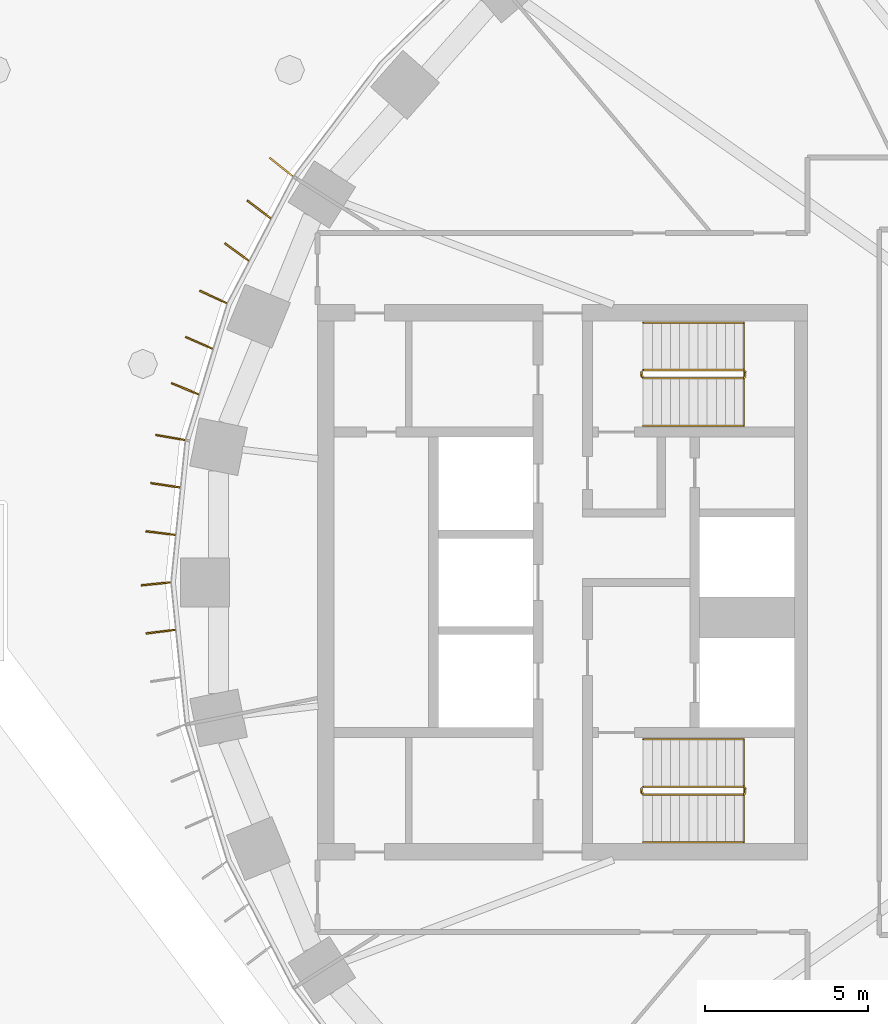
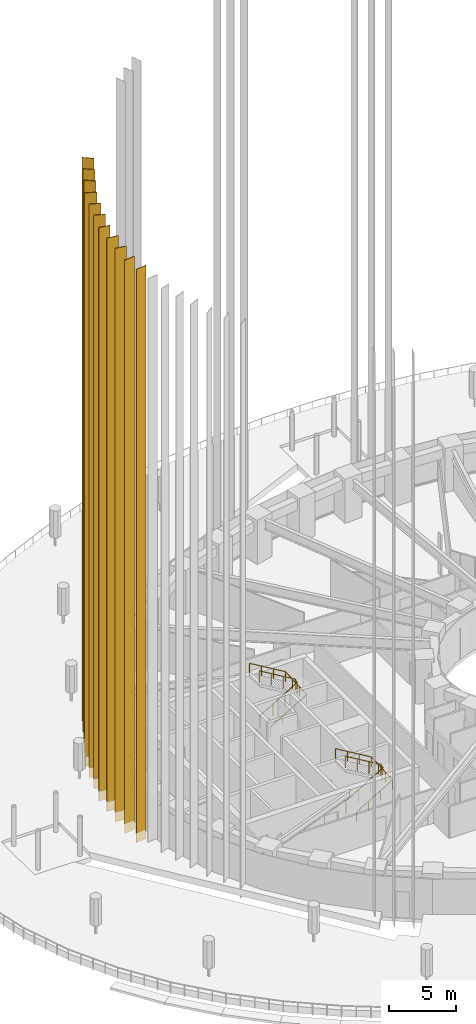
# One storey, part 24 of 30: 11 coverings, 4 railings.
"""IFC4 building model written with IfcOpenShell, lengths in metres."""

import ifcopenshell
import ifcopenshell.guid

model = None  # the IFC model being written
_history = None  # IfcOwnerHistory: only IFC2X3 demands one
_inside = {}  # id of a spatial element -> (the spatial element, [elements in it])
_under = {}  # id of a project, library or spatial element -> (it, [spatial elements below it])
_declared = {}  # id of a project -> (the project, [libraries it declares])
_typed = {}  # id of a type object -> (the type object, [elements of that type])
_made_of = {}  # id of a material, layer set ... -> (it, [elements and type objects made of it])


def new_model(schema):
    """Start an empty IFC model of exactly this schema.

    Asked for "IFC4X3", IfcOpenShell would pick the latest addendum, in which some entities
    have other attributes; the version numbers below select the first issue.
    IFC2X3 requires an IfcOwnerHistory on every rooted entity: one is made here for all.
    """
    global model, _history
    if schema == "IFC4X3":
        model = ifcopenshell.file(schema_version=(4, 3, 0, 0))
    else:
        model = ifcopenshell.file(schema=schema)
    _inside.clear()
    _under.clear()
    _declared.clear()
    _typed.clear()
    _made_of.clear()
    _history = None
    if model.schema == "IFC2X3":
        org = make("IfcOrganization", Name="unknown")
        user = make(
            "IfcPersonAndOrganization",
            ThePerson=make("IfcPerson", FamilyName="unknown"),
            TheOrganization=org,
        )
        app = make(
            "IfcApplication",
            ApplicationDeveloper=org,
            Version="unknown",
            ApplicationFullName="unknown",
            ApplicationIdentifier="unknown",
        )
        _history = make(
            "IfcOwnerHistory",
            OwningUser=user,
            OwningApplication=app,
            ChangeAction="ADDED",
            CreationDate=0,
        )
    return model


def make(cls, **values):
    """One entity of the class cls with the attributes given. An attribute that is None is left unset."""
    return model.create_entity(
        cls, **{name: value for name, value in values.items() if value is not None}
    )


def rooted(cls, **values):
    """An entity with a GlobalId (a new one), such as an element, a storey or a relation."""
    return make(cls, GlobalId=ifcopenshell.guid.new(), OwnerHistory=_history, **values)


def si_unit(unit_type, name, prefix=None):
    """IfcSIUnit, for example si_unit("LENGTHUNIT", "METRE", prefix="MILLI")."""
    return make("IfcSIUnit", UnitType=unit_type, Prefix=prefix, Name=name)


def assignment(units):
    """IfcUnitAssignment: the units of a project."""
    return None if units is None else make("IfcUnitAssignment", Units=units)


def point(xyz):
    """IfcCartesianPoint."""
    return None if xyz is None else make("IfcCartesianPoint", Coordinates=xyz)


def direction(xyz):
    """IfcDirection."""
    return None if xyz is None else make("IfcDirection", DirectionRatios=xyz)


def frame(location, z_axis=None, x_axis=None):
    """IfcAxis2Placement3D, a coordinate frame: its origin and axes. An axis left out is left unset."""
    return make(
        "IfcAxis2Placement3D",
        Location=point(location),
        Axis=direction(z_axis),
        RefDirection=direction(x_axis),
    )


def frame_2d(location, x_axis=None):
    """IfcAxis2Placement2D, a coordinate frame in the plane: its origin and x axis."""
    return make(
        "IfcAxis2Placement2D", Location=point(location), RefDirection=direction(x_axis)
    )


def origin():
    """The frame at (0, 0, 0) with its axes left unset."""
    return frame((0.0, 0.0, 0.0))


def origin_2d():
    """The frame at (0, 0) in the plane with its x axis left unset."""
    return frame_2d((0.0, 0.0))


def place(relative_to, where):
    """IfcLocalPlacement: puts the frame where relative to a parent placement (None: the world)."""
    return make(
        "IfcLocalPlacement", PlacementRelTo=relative_to, RelativePlacement=where
    )


def context(
    kind, dimensions, precision=None, world=None, true_north=None, identifier=None
):
    """IfcGeometricRepresentationContext, for example the 3D "Model" context."""
    return make(
        "IfcGeometricRepresentationContext",
        ContextIdentifier=identifier,
        ContextType=kind,
        CoordinateSpaceDimension=dimensions,
        Precision=precision,
        WorldCoordinateSystem=world,
        TrueNorth=true_north,
    )


def subcontext(parent, identifier, kind, view, scale=None):
    """IfcGeometricRepresentationSubContext, for example "Body" below "Model"."""
    return make(
        "IfcGeometricRepresentationSubContext",
        ContextIdentifier=identifier,
        ContextType=kind,
        ParentContext=parent,
        TargetScale=scale,
        TargetView=view,
    )


def project(units=None, contexts=None):
    """IfcProject with its units and contexts."""
    return rooted(
        "IfcProject",
        Name="project",
        RepresentationContexts=contexts,
        UnitsInContext=assignment(units),
    )


def spatial(cls, under=None, at=None, **own):
    """A site, building, storey or space (cls), placed at a placement, below another one or the project."""
    s = rooted(cls, ObjectPlacement=at, **own)
    if under is not None:
        _under.setdefault(under.id(), (under, []))[1].append(s)
    return s


def profile(cls, at=None, kind="AREA", **sizes):
    """A parametric profile (cls). Its sizes go by their IFC names, for example OverallWidth=200.0."""
    return make(cls, ProfileType=kind, Position=at, **sizes)


def rectangle(**sizes):
    """IfcRectangleProfileDef."""
    return profile("IfcRectangleProfileDef", **sizes)


def extrude(swept, where, along, depth):
    """IfcExtrudedAreaSolid: the profile swept, set in the frame where, extruded along a direction by depth."""
    return make(
        "IfcExtrudedAreaSolid",
        SweptArea=swept,
        Position=where,
        ExtrudedDirection=direction(along),
        Depth=depth,
    )


def shape(context_of_items, identifier, shape_type, items):
    """IfcShapeRepresentation: the items that make up one representation, for example the "Body"."""
    return make(
        "IfcShapeRepresentation",
        ContextOfItems=context_of_items,
        RepresentationIdentifier=identifier,
        RepresentationType=shape_type,
        Items=items,
    )


def material(Name=None, Category=None):
    """IfcMaterial."""
    return make("IfcMaterial", Name=Name, Category=Category)


def material_profile(
    of_material, cross_section, Name=None, Category=None, Priority=None
):
    """IfcMaterialProfile: a cross section and its material."""
    return make(
        "IfcMaterialProfile",
        Name=Name,
        Material=of_material,
        Profile=cross_section,
        Priority=Priority,
        Category=Category,
    )


def profile_set(profiles, Name=None, composite=None):
    """IfcMaterialProfileSet."""
    return make(
        "IfcMaterialProfileSet",
        Name=Name,
        MaterialProfiles=profiles,
        CompositeProfile=composite,
    )


def made_of(thing, what):
    """Note that an element or type object is made of a material, layer set ...; save() writes the relation."""
    if what is not None:
        _made_of.setdefault(what.id(), (what, []))[1].append(thing)
    return thing


def type_object(cls, material=None, **own):
    """A type object (cls), such as IfcWallType, which elements share."""
    return made_of(rooted(cls, **own), material)


def element(
    cls,
    number,
    at=None,
    inside=None,
    cuts=None,
    type_object=None,
    material=None,
    context=None,
    identifier="Body",
    shape_type=None,
    held_by="IfcProductDefinitionShape",
    body=None,
    shapes=None,
    **own,
):
    """One element of the class cls, such as IfcWall. Its Tag is "e" and its number.

    at: its placement. inside: the storey or other place that contains it. cuts: it is an
    opening in that element (IfcRelVoidsElement). A single representation is given by context,
    identifier, shape_type and body (its items); several are given by shapes. held_by: the class
    of the entity that holds the representations. save() writes the other relations.
    """
    e = rooted(cls, Tag="e%d" % number, ObjectPlacement=at, **own)
    if body is not None:
        shapes = [shape(context, identifier, shape_type, body)]
    if shapes is not None:
        e.Representation = make(held_by, Representations=shapes)
    if inside is not None:
        _inside.setdefault(inside.id(), (inside, []))[1].append(e)
    if cuts is not None:
        rooted(
            "IfcRelVoidsElement", RelatingBuildingElement=cuts, RelatedOpeningElement=e
        )
    if type_object is not None:
        _typed.setdefault(type_object.id(), (type_object, []))[1].append(e)
    return made_of(e, material)


def aggregate(whole, parts):
    """IfcRelAggregates: a whole, such as a stair, and the parts it consists of."""
    return rooted("IfcRelAggregates", RelatingObject=whole, RelatedObjects=parts)


def save(model, path):
    """Write the relations noted so far, then the file.

    IfcRelAggregates (storeys below a building ...), IfcRelContainedInSpatialStructure (elements
    in a storey), IfcRelDefinesByType, IfcRelAssociatesMaterial and IfcRelDeclares: one each for
    every whole, place, type object, material and project.
    """
    for whole, parts in _under.values():
        aggregate(whole, parts)
    for where, things in _inside.values():
        rooted(
            "IfcRelContainedInSpatialStructure",
            RelatedElements=things,
            RelatingStructure=where,
        )
    for kind, things in _typed.values():
        rooted("IfcRelDefinesByType", RelatedObjects=things, RelatingType=kind)
    for what, things in _made_of.values():
        rooted("IfcRelAssociatesMaterial", RelatedObjects=things, RelatingMaterial=what)
    for by, libraries in _declared.values():
        rooted("IfcRelDeclares", RelatingContext=by, RelatedDefinitions=libraries)
    model.write(path)


model = new_model("IFC4")

# Units and contexts
model_context = context("Model", 3, precision=1e-05, world=origin(), true_north=direction((0.0, 1.0)))
body_context = subcontext(model_context, "Body", "Model", "MODEL_VIEW")
ifc_project = project(units=[si_unit("LENGTHUNIT", "METRE"), si_unit("AREAUNIT", "SQUARE_METRE"), si_unit("VOLUMEUNIT", "CUBIC_METRE"), si_unit("PLANEANGLEUNIT", "RADIAN"), si_unit("MASSUNIT", "GRAM", prefix="KILO")], contexts=[model_context])

# Site, building, storey
site_placement = place(None, origin())
site = spatial("IfcSite", under=ifc_project, at=site_placement, CompositionType="ELEMENT")
building_placement = place(site_placement, origin())
building = spatial("IfcBuilding", under=site, at=building_placement, Name="Noorbagh Ring Tower", CompositionType="ELEMENT")
storey_placement = place(building_placement, frame((0.0, 0.0, 30.5)))
storey = spatial("IfcBuildingStorey", under=building, at=storey_placement, Name="L05", CompositionType="ELEMENT", Elevation=30.5)

# Railings
ifc_material_1 = material(Name="Stainless steel", Category="steel")
railing_type_1 = type_object("IfcRailingType", Name="CORE-STAIR-GUARD", PredefinedType="GUARDRAIL", material=ifc_material_1)
railing_1_placement = place(storey_placement, frame((-21.580078125, 6.300048828125, 0.0)))
element("IfcRailing", 1, at=railing_1_placement, inside=storey, type_object=railing_type_1, Name="L05 ST1 stair guard", PredefinedType="GUARDRAIL", context=body_context, shape_type="SweptSolid", body=[
    extrude(rectangle(XDim=0.048095703125, YDim=0.048095703125, at=origin_2d()), frame((0.0, 0.0, 1.076171875), z_axis=(0.0, 1.0, 0.0), x_axis=(-1.0, 0.0, 0.0)), (0.0, 0.0, 1.0), 0.14990234375),
    extrude(rectangle(XDim=0.048095703125, YDim=0.048095703125, at=origin_2d()), frame((0.0, 0.14990234375, 1.076171875), z_axis=(0.188775798145, -0.754182335027, 0.628945707965), x_axis=(0.970072785993, 0.242814311512, 0.0)), (0.0, 0.0, 1.0), 0.26513671875),
    extrude(rectangle(XDim=0.048095703125, YDim=0.048095703125, at=origin_2d()), frame((0.050048828125, -0.050048828125, 1.24267578125), z_axis=(0.859308565015, 0.0, 0.511457515432), x_axis=(0.0, 1.0, 0.0)), (0.0, 0.0, 1.0), 3.58447265625),
    extrude(rectangle(XDim=0.048095703125, YDim=0.048095703125, at=origin_2d()), frame((3.130126953125, -0.050048828125, 3.076171875), z_axis=(0.707106781187, 0.707106781187, 0.0), x_axis=(-0.707106781187, 0.707106781187, 0.0)), (0.0, 0.0, 1.0), 0.07080078125),
    extrude(rectangle(XDim=0.048095703125, YDim=0.048095703125, at=origin_2d()), frame((3.18017578125, 0.0, 3.076171875), z_axis=(0.0, 1.0, 0.0), x_axis=(-1.0, 0.0, 0.0)), (0.0, 0.0, 1.0), 0.14990234375),
    extrude(rectangle(XDim=0.048095703125, YDim=0.048095703125, at=origin_2d()), frame((3.18017578125, 0.14990234375, 3.076171875), z_axis=(-0.27628659633, 0.27628659633, 0.920506074601), x_axis=(-0.707106781187, -0.707106781187, 0.0)), (0.0, 0.0, 1.0), 0.18115234375),
    extrude(rectangle(XDim=0.048095703125, YDim=0.048095703125, at=origin_2d()), frame((3.130126953125, 0.199951171875, 3.24267578125), z_axis=(-0.859308565015, 0.0, 0.511457515432), x_axis=(0.0, -1.0, 0.0)), (0.0, 0.0, 1.0), 3.58447265625),
    extrude(rectangle(XDim=0.0419921875, YDim=0.0419921875, at=origin_2d()), origin(), (0.0, 0.0, 1.0), 1.052001953125),
    extrude(rectangle(XDim=0.0419921875, YDim=0.0419921875, at=origin_2d()), frame((1.07666015625, -0.050048828125, 0.77783203125)), (0.0, 0.0, 1.0), 1.052001953125),
    extrude(rectangle(XDim=0.0419921875, YDim=0.0419921875, at=origin_2d()), frame((2.103515625, -0.050048828125, 1.388916015625)), (0.0, 0.0, 1.0), 1.052001953125),
    extrude(rectangle(XDim=0.0419921875, YDim=0.0419921875, at=origin_2d()), frame((3.130126953125, -0.050048828125, 2.0)), (0.0, 0.0, 1.0), 1.052001953125),
    extrude(rectangle(XDim=0.0419921875, YDim=0.0419921875, at=origin_2d()), frame((3.130126953125, 0.199951171875, 2.166748046875)), (0.0, 0.0, 1.0), 1.052001953125),
    extrude(rectangle(XDim=0.0419921875, YDim=0.0419921875, at=origin_2d()), frame((2.103515625, 0.199951171875, 2.77783203125)), (0.0, 0.0, 1.0), 1.052001953125),
    extrude(rectangle(XDim=0.0419921875, YDim=0.0419921875, at=origin_2d()), frame((1.07666015625, 0.199951171875, 3.388916015625)), (0.0, 0.0, 1.0), 1.052001953125),
    extrude(rectangle(XDim=0.0419921875, YDim=0.0419921875, at=origin_2d()), frame((0.050048828125, 0.199951171875, 4.0)), (0.0, 0.0, 1.0), 1.052001953125),
])
railing_2_placement = place(storey_placement, frame((-21.580078125, -6.449951171875, 0.0)))
element("IfcRailing", 2, at=railing_2_placement, inside=storey, type_object=railing_type_1, Name="L05 ST2 stair guard", PredefinedType="GUARDRAIL", context=body_context, shape_type="SweptSolid", body=[
    extrude(rectangle(XDim=0.048095703125, YDim=0.048095703125, at=origin_2d()), frame((0.0, 0.0, 1.076171875), z_axis=(0.0, 1.0, 0.0), x_axis=(-1.0, 0.0, 0.0)), (0.0, 0.0, 1.0), 0.14990234375),
    extrude(rectangle(XDim=0.048095703125, YDim=0.048095703125, at=origin_2d()), frame((0.0, 0.14990234375, 1.076171875), z_axis=(0.188775798145, -0.754182335027, 0.628945707965), x_axis=(0.970072785993, 0.242814311512, 0.0)), (0.0, 0.0, 1.0), 0.26513671875),
    extrude(rectangle(XDim=0.048095703125, YDim=0.048095703125, at=origin_2d()), frame((0.050048828125, -0.050048828125, 1.24267578125), z_axis=(0.859308565015, 0.0, 0.511457515432), x_axis=(0.0, 1.0, 0.0)), (0.0, 0.0, 1.0), 3.58447265625),
    extrude(rectangle(XDim=0.048095703125, YDim=0.048095703125, at=origin_2d()), frame((3.130126953125, -0.050048828125, 3.076171875), z_axis=(0.707106781187, 0.707106781187, 0.0), x_axis=(-0.707106781187, 0.707106781187, 0.0)), (0.0, 0.0, 1.0), 0.07080078125),
    extrude(rectangle(XDim=0.048095703125, YDim=0.048095703125, at=origin_2d()), frame((3.18017578125, 0.0, 3.076171875), z_axis=(0.0, 1.0, 0.0), x_axis=(-1.0, 0.0, 0.0)), (0.0, 0.0, 1.0), 0.14990234375),
    extrude(rectangle(XDim=0.048095703125, YDim=0.048095703125, at=origin_2d()), frame((3.18017578125, 0.14990234375, 3.076171875), z_axis=(-0.27628659633, 0.27628659633, 0.920506074601), x_axis=(-0.707106781187, -0.707106781187, 0.0)), (0.0, 0.0, 1.0), 0.18115234375),
    extrude(rectangle(XDim=0.048095703125, YDim=0.048095703125, at=origin_2d()), frame((3.130126953125, 0.199951171875, 3.24267578125), z_axis=(-0.859308565015, 0.0, 0.511457515432), x_axis=(0.0, -1.0, 0.0)), (0.0, 0.0, 1.0), 3.58447265625),
    extrude(rectangle(XDim=0.0419921875, YDim=0.0419921875, at=origin_2d()), origin(), (0.0, 0.0, 1.0), 1.052001953125),
    extrude(rectangle(XDim=0.0419921875, YDim=0.0419921875, at=origin_2d()), frame((1.07666015625, -0.050048828125, 0.77783203125)), (0.0, 0.0, 1.0), 1.052001953125),
    extrude(rectangle(XDim=0.0419921875, YDim=0.0419921875, at=origin_2d()), frame((2.103515625, -0.050048828125, 1.388916015625)), (0.0, 0.0, 1.0), 1.052001953125),
    extrude(rectangle(XDim=0.0419921875, YDim=0.0419921875, at=origin_2d()), frame((3.130126953125, -0.050048828125, 2.0)), (0.0, 0.0, 1.0), 1.052001953125),
    extrude(rectangle(XDim=0.0419921875, YDim=0.0419921875, at=origin_2d()), frame((3.130126953125, 0.199951171875, 2.166748046875)), (0.0, 0.0, 1.0), 1.052001953125),
    extrude(rectangle(XDim=0.0419921875, YDim=0.0419921875, at=origin_2d()), frame((2.103515625, 0.199951171875, 2.77783203125)), (0.0, 0.0, 1.0), 1.052001953125),
    extrude(rectangle(XDim=0.0419921875, YDim=0.0419921875, at=origin_2d()), frame((1.07666015625, 0.199951171875, 3.388916015625)), (0.0, 0.0, 1.0), 1.052001953125),
    extrude(rectangle(XDim=0.0419921875, YDim=0.0419921875, at=origin_2d()), frame((0.050048828125, 0.199951171875, 4.0)), (0.0, 0.0, 1.0), 1.052001953125),
])
ifc_material_2 = material(Name="Stainless steel", Category="steel")
railing_type_2 = type_object("IfcRailingType", Name="CORE-STAIR-HANDRAIL", PredefinedType="HANDRAIL", material=ifc_material_2)
railing_3_placement = place(storey_placement, frame((-21.530029296875, 4.800048828125, 0.166748046875)))
element("IfcRailing", 3, at=railing_3_placement, inside=storey, type_object=railing_type_2, Name="L05 ST1 stair handrail", PredefinedType="HANDRAIL", context=body_context, shape_type="SweptSolid", body=[
    extrude(rectangle(XDim=0.048095703125, YDim=0.048095703125, at=origin_2d()), frame((0.0, 0.0, 0.8759765625), z_axis=(0.859308565015, 0.0, 0.511457515432), x_axis=(0.0, 1.0, 0.0)), (0.0, 0.0, 1.0), 3.58447265625),
    extrude(rectangle(XDim=0.048095703125, YDim=0.048095703125, at=origin_2d()), frame((3.080078125, 0.0, 2.708984375), z_axis=(0.0, 0.998601747152, 0.052863509014), x_axis=(-1.0, 0.0, 0.0)), (0.0, 0.0, 1.0), 3.154296875),
    extrude(rectangle(XDim=0.048095703125, YDim=0.048095703125, at=origin_2d()), frame((3.080078125, 3.14990234375, 2.8759765625), z_axis=(-0.859308565015, 0.0, 0.511457515432), x_axis=(0.0, -1.0, 0.0)), (0.0, 0.0, 1.0), 3.58447265625),
    extrude(rectangle(XDim=0.0419921875, YDim=0.0419921875, at=origin_2d()), origin(), (0.0, 0.0, 1.0), 0.851806640625),
    extrude(rectangle(XDim=0.0419921875, YDim=0.0419921875, at=origin_2d()), frame((1.026611328125, 0.0, 0.611083984375)), (0.0, 0.0, 1.0), 0.851806640625),
    extrude(rectangle(XDim=0.0419921875, YDim=0.0419921875, at=origin_2d()), frame((2.053466796875, 0.0, 1.22216796875)), (0.0, 0.0, 1.0), 0.851806640625),
    extrude(rectangle(XDim=0.0419921875, YDim=0.0419921875, at=origin_2d()), frame((3.080078125, 0.0, 1.833251953125)), (0.0, 0.0, 1.0), 0.851806640625),
    extrude(rectangle(XDim=0.0419921875, YDim=0.0419921875, at=origin_2d()), frame((3.080078125, 1.050048828125, 1.888916015625)), (0.0, 0.0, 1.0), 0.851806640625),
    extrude(rectangle(XDim=0.0419921875, YDim=0.0419921875, at=origin_2d()), frame((3.080078125, 2.099853515625, 1.9443359375)), (0.0, 0.0, 1.0), 0.851806640625),
    extrude(rectangle(XDim=0.0419921875, YDim=0.0419921875, at=origin_2d()), frame((3.080078125, 3.14990234375, 2.0)), (0.0, 0.0, 1.0), 0.851806640625),
    extrude(rectangle(XDim=0.0419921875, YDim=0.0419921875, at=origin_2d()), frame((2.053466796875, 3.14990234375, 2.611083984375)), (0.0, 0.0, 1.0), 0.851806640625),
    extrude(rectangle(XDim=0.0419921875, YDim=0.0419921875, at=origin_2d()), frame((1.026611328125, 3.14990234375, 3.22216796875)), (0.0, 0.0, 1.0), 0.851806640625),
    extrude(rectangle(XDim=0.0419921875, YDim=0.0419921875, at=origin_2d()), frame((0.0, 3.14990234375, 3.833251953125)), (0.0, 0.0, 1.0), 0.851806640625),
])
railing_4_placement = place(storey_placement, frame((-21.530029296875, -7.949951171875, 0.166748046875)))
element("IfcRailing", 4, at=railing_4_placement, inside=storey, type_object=railing_type_2, Name="L05 ST2 stair handrail", PredefinedType="HANDRAIL", context=body_context, shape_type="SweptSolid", body=[
    extrude(rectangle(XDim=0.048095703125, YDim=0.048095703125, at=origin_2d()), frame((0.0, 0.0, 0.8759765625), z_axis=(0.859308565015, 0.0, 0.511457515432), x_axis=(0.0, 1.0, 0.0)), (0.0, 0.0, 1.0), 3.58447265625),
    extrude(rectangle(XDim=0.048095703125, YDim=0.048095703125, at=origin_2d()), frame((3.080078125, 0.0, 2.708984375), z_axis=(0.0, 0.998601747152, 0.052863509014), x_axis=(-1.0, 0.0, 0.0)), (0.0, 0.0, 1.0), 3.154296875),
    extrude(rectangle(XDim=0.048095703125, YDim=0.048095703125, at=origin_2d()), frame((3.080078125, 3.14990234375, 2.8759765625), z_axis=(-0.859308565015, 0.0, 0.511457515432), x_axis=(0.0, -1.0, 0.0)), (0.0, 0.0, 1.0), 3.58447265625),
    extrude(rectangle(XDim=0.0419921875, YDim=0.0419921875, at=origin_2d()), origin(), (0.0, 0.0, 1.0), 0.851806640625),
    extrude(rectangle(XDim=0.0419921875, YDim=0.0419921875, at=origin_2d()), frame((1.026611328125, 0.0, 0.611083984375)), (0.0, 0.0, 1.0), 0.851806640625),
    extrude(rectangle(XDim=0.0419921875, YDim=0.0419921875, at=origin_2d()), frame((2.053466796875, 0.0, 1.22216796875)), (0.0, 0.0, 1.0), 0.851806640625),
    extrude(rectangle(XDim=0.0419921875, YDim=0.0419921875, at=origin_2d()), frame((3.080078125, 0.0, 1.833251953125)), (0.0, 0.0, 1.0), 0.851806640625),
    extrude(rectangle(XDim=0.0419921875, YDim=0.0419921875, at=origin_2d()), frame((3.080078125, 1.050048828125, 1.888916015625)), (0.0, 0.0, 1.0), 0.851806640625),
    extrude(rectangle(XDim=0.0419921875, YDim=0.0419921875, at=origin_2d()), frame((3.080078125, 2.099853515625, 1.9443359375)), (0.0, 0.0, 1.0), 0.851806640625),
    extrude(rectangle(XDim=0.0419921875, YDim=0.0419921875, at=origin_2d()), frame((3.080078125, 3.14990234375, 2.0)), (0.0, 0.0, 1.0), 0.851806640625),
    extrude(rectangle(XDim=0.0419921875, YDim=0.0419921875, at=origin_2d()), frame((2.053466796875, 3.14990234375, 2.611083984375)), (0.0, 0.0, 1.0), 0.851806640625),
    extrude(rectangle(XDim=0.0419921875, YDim=0.0419921875, at=origin_2d()), frame((1.026611328125, 3.14990234375, 3.22216796875)), (0.0, 0.0, 1.0), 0.851806640625),
    extrude(rectangle(XDim=0.0419921875, YDim=0.0419921875, at=origin_2d()), frame((0.0, 3.14990234375, 3.833251953125)), (0.0, 0.0, 1.0), 0.851806640625),
])

# Coverings
ifc_material_3 = material(Name="Aluminium 6063-T6 black anodised", Category="aluminium")
ifc_material_profile = material_profile(ifc_material_3, rectangle(XDim=0.89990234375, YDim=0.050048828125, at=origin_2d()), Name="900x50")
ifc_profile_set = profile_set([ifc_material_profile], Name="Aluminium 6063-T6 black anodised")
covering_type = type_object("IfcCoveringType", Name="ENV-FIN", PredefinedType="CLADDING", material=ifc_profile_set)
for number, where, z_axis, x_axis, name in (
    (5, (-32.612060546875, 12.71728515625, -0.284912109375), (0.0, 0.0, 1.0), (-0.782643528987, 0.622470165176, 0.0), "Fin F21 1 L05-L17"),
    (6, (-33.291748046875, 11.415771484375, -0.284912109375), (0.0, 0.0, 1.0), (-0.793137535147, 0.609042568579, 0.0), "Fin F21 2 L05-L17"),
    (7, (-33.9716796875, 10.113525390625, -0.284912109375), (0.0, 0.0, 1.0), (-0.804260303023, 0.59427717858, 0.0), "Fin F21 3 L05-L17"),
    (8, (-34.693359375, 8.738525390625, -0.284912109375), (0.0, 0.0, 1.0), (-0.907911558545, 0.419161784827, 0.0), "Fin F22 1 L05-L17"),
    (9, (-35.123291015625, 7.3330078125, -0.284912109375), (0.0, 0.0, 1.0), (-0.916474909008, 0.40009216583, 0.0), "Fin F22 2 L05-L17"),
    (10, (-35.553466796875, 5.92724609375, -0.284912109375), (0.0, 0.0, 1.0), (-0.925000661941, 0.379965492392, 0.0), "Fin F22 3 L05-L17"),
    (11, (-36.0068359375, 4.435546875, -0.284912109375), (0.0, 0.0, 1.0), (-0.985418628789, 0.170147365642, 0.0), "Fin F23 1 L05-L17"),
    (12, (-36.154296875, 2.97216796875, -0.284912109375), (0.0, 0.0, 1.0), (-0.989102941421, 0.147225579543, 0.0), "Fin F23 2 L05-L17"),
    (13, (-36.30126953125, 1.5087890625, -0.284912109375), (0.0, 0.0, 1.0), (-0.992302876732, 0.12383457041, 0.0), "Fin F23 3 L05-L17"),
    (14, (-36.4482421875, -0.045166015625, -0.284912109375), (0.0, 0.0, 1.0), (-0.994969504864, -0.100178263068, 0.0), "Fin F24 1 L05-L17"),
    (15, (-36.30126953125, -1.5087890625, -0.284912109375), (0.0, 0.0, 1.0), (-0.992302876732, -0.12383457041, 0.0), "Fin F24 2 L05-L17"),
):
    element("IfcCovering", number, at=place(storey_placement, frame(where, z_axis=z_axis, x_axis=x_axis)), inside=storey, type_object=covering_type, Name=name, ObjectType="FIN", PredefinedType="CLADDING", context=body_context, shape_type="SweptSolid", body=[
        extrude(rectangle(XDim=0.89990234375, YDim=0.050048828125, at=origin_2d()), origin(), (0.0, 0.0, 1.0), 51.969970703125),
    ])

save(model, "model.ifc")
